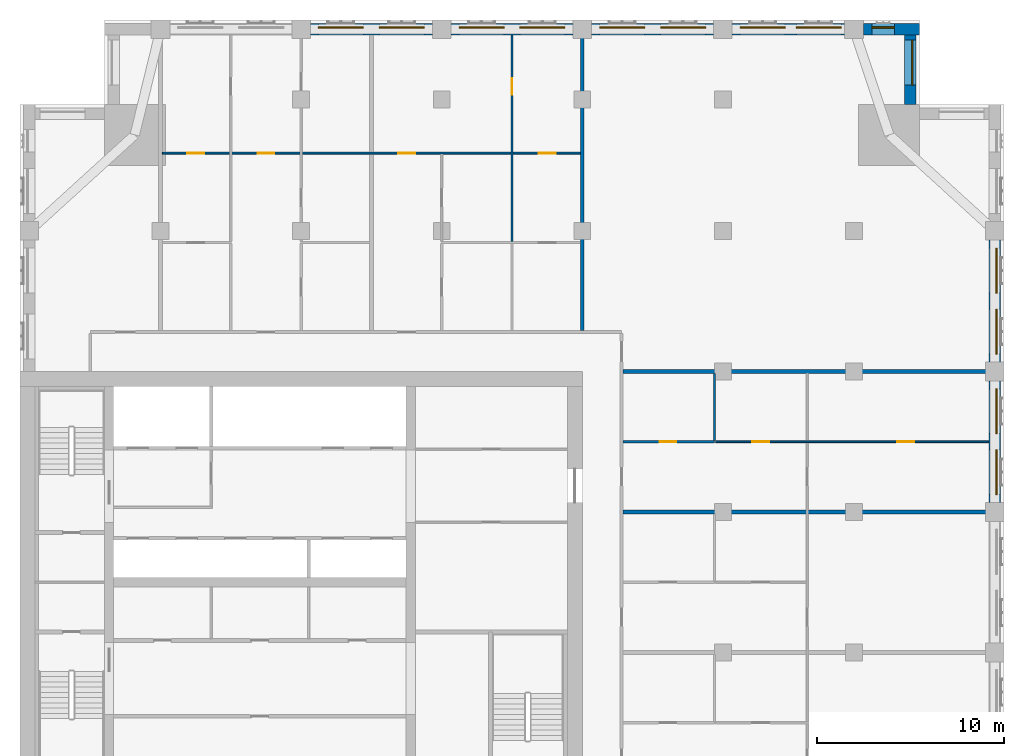
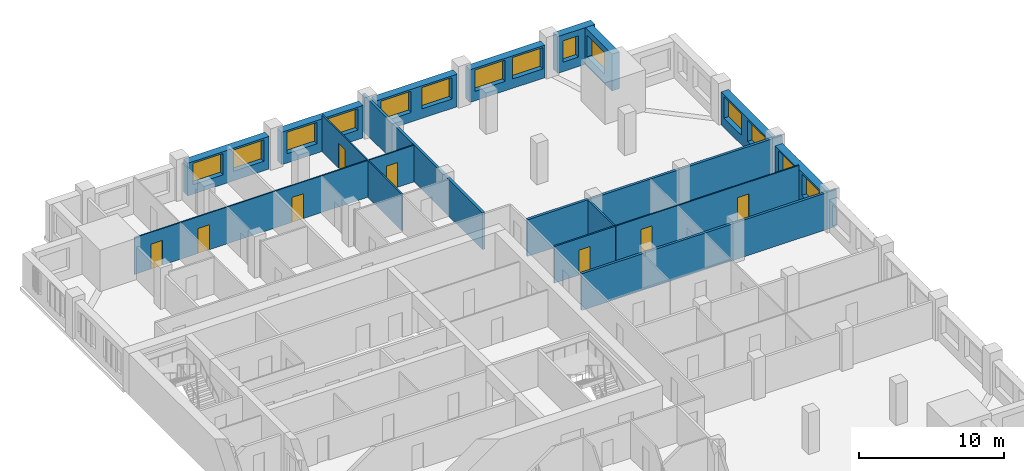
# One storey, part 11 of 14: 16 walls, 14 windows, 8 doors, 22 openings.
"""IFC4 building model written with IfcOpenShell, lengths in metres."""

from ifc_helpers import new_model, si_unit, direction, frame, frame_2d, origin, place, context, subcontext, project, spatial, rectangle, extrude, material, layer, layer_set, type_object, element, fill, save


model = new_model("IFC4")

# Units and contexts
model_context = context("Model", 3, precision=1e-05, world=origin(), true_north=direction((0.0, 1.0)))
body_context = subcontext(model_context, "Body", "Model", "MODEL_VIEW")
ifc_project = project(units=[si_unit("LENGTHUNIT", "METRE"), si_unit("AREAUNIT", "SQUARE_METRE"), si_unit("VOLUMEUNIT", "CUBIC_METRE"), si_unit("PLANEANGLEUNIT", "RADIAN"), si_unit("MASSUNIT", "GRAM", prefix="KILO")], contexts=[model_context])

# Site, building, storey
site_placement = place(None, origin())
site = spatial("IfcSite", under=ifc_project, at=site_placement, CompositionType="ELEMENT")
building_placement = place(site_placement, origin())
building = spatial("IfcBuilding", under=site, at=building_placement, Name="Tamorin Gate", CompositionType="ELEMENT")
storey_placement = place(building_placement, frame((0.0, 0.0, 210.699951171875)))
storey = spatial("IfcBuildingStorey", under=building, at=storey_placement, Name="L52", CompositionType="ELEMENT", Elevation=210.699951171875)

# Wall, openings, windows
ifc_material_1 = material(Name="Precast concrete C40/50", Category="concrete")
ifc_layer_1 = layer(ifc_material_1, 0.60009765625)
ifc_layer_set_1 = layer_set([ifc_layer_1], Name="Precast concrete C40/50")
wall_type_1 = type_object("IfcWallType", Name="Board-marked concrete facade panel 600", PredefinedType="SOLIDWALL", material=ifc_layer_set_1)
wall_1_placement = place(storey_placement, frame((82.0, 75.5, 0.0), z_axis=(0.0, 0.0, 1.0), x_axis=(0.0, 1.0, 0.0)))
wall_1 = element("IfcWall", 1, at=wall_1_placement, inside=storey, type_object=wall_type_1, Name="Facade panel", PredefinedType="SOLIDWALL", context=body_context, shape_type="SweptSolid", body=[
    extrude(rectangle(XDim=6.5, YDim=0.60009765625, at=frame_2d((3.25, 0.0))), origin(), (0.0, 0.0, 1.0), 2.75),
])
opening_1_placement = place(wall_1_placement, frame((0.425048828125, 0.0, 0.800048828125)))
opening_1 = element("IfcOpeningElement", 2, at=opening_1_placement, cuts=wall_1, Name="Opening WN1", PredefinedType="OPENING", context=body_context, shape_type="SweptSolid", body=[
    extrude(rectangle(XDim=2.39990234375, YDim=1.800048828125, at=frame_2d((1.199951171875, 0.89990234375))), frame((0.0, 0.31005859375, 0.0), z_axis=(0.0, -1.0, 0.0), x_axis=(1.0, 0.0, 0.0)), (0.0, 0.0, 1.0), 0.6201171875),
])
opening_2_placement = place(wall_1_placement, frame((3.675048828125, 0.0, 0.800048828125)))
opening_2 = element("IfcOpeningElement", 3, at=opening_2_placement, cuts=wall_1, Name="Opening WN1", PredefinedType="OPENING", context=body_context, shape_type="SweptSolid", body=[
    extrude(rectangle(XDim=2.39990234375, YDim=1.800048828125, at=frame_2d((1.199951171875, 0.89990234375))), frame((0.0, 0.31005859375, 0.0), z_axis=(0.0, -1.0, 0.0), x_axis=(1.0, 0.0, 0.0)), (0.0, 0.0, 1.0), 0.6201171875),
])
ifc_material_2 = material(Name="Clear glass in aluminium frame", Category="aluminium")
window_type_1 = type_object("IfcWindowType", Name="Deep-set window 2400x1800", PartitioningType="SINGLE_PANEL", PredefinedType="WINDOW", material=ifc_material_2)
window_1_placement = place(opening_1_placement, origin())
window_1 = element("IfcWindow", 4, at=window_1_placement, inside=storey, type_object=window_type_1, Name="Deep-set window", OverallHeight=1.800048828125, OverallWidth=2.39990234375, PartitioningType="SINGLE_PANEL", PredefinedType="WINDOW", context=body_context, shape_type="SweptSolid", body=[
    extrude(rectangle(XDim=2.39990234375, YDim=1.800048828125, at=frame_2d((1.199951171875, 0.89990234375))), frame((0.0, -0.070068359375, 0.0), z_axis=(0.0, -1.0, 0.0), x_axis=(1.0, 0.0, 0.0)), (0.0, 0.0, 1.0), 0.06005859375),
])
fill(opening_1, window_1)
window_2_placement = place(opening_2_placement, origin())
window_2 = element("IfcWindow", 5, at=window_2_placement, inside=storey, type_object=window_type_1, Name="Deep-set window", OverallHeight=1.800048828125, OverallWidth=2.39990234375, PartitioningType="SINGLE_PANEL", PredefinedType="WINDOW", context=body_context, shape_type="SweptSolid", body=[
    extrude(rectangle(XDim=2.39990234375, YDim=1.800048828125, at=frame_2d((1.199951171875, 0.89990234375))), frame((0.0, -0.070068359375, 0.0), z_axis=(0.0, -1.0, 0.0), x_axis=(1.0, 0.0, 0.0)), (0.0, 0.0, 1.0), 0.06005859375),
])
fill(opening_2, window_2)

wall_2_placement = place(storey_placement, frame((82.0, 83.0, 0.0), z_axis=(0.0, 0.0, 1.0), x_axis=(0.0, 1.0, 0.0)))
wall_2 = element("IfcWall", 6, at=wall_2_placement, inside=storey, type_object=wall_type_1, Name="Facade panel", PredefinedType="SOLIDWALL", context=body_context, shape_type="SweptSolid", body=[
    extrude(rectangle(XDim=6.5, YDim=0.60009765625, at=frame_2d((3.25, 0.0))), origin(), (0.0, 0.0, 1.0), 2.75),
])
opening_3_placement = place(wall_2_placement, frame((0.425048828125, 0.0, 0.800048828125)))
opening_3 = element("IfcOpeningElement", 7, at=opening_3_placement, cuts=wall_2, Name="Opening WN1", PredefinedType="OPENING", context=body_context, shape_type="SweptSolid", body=[
    extrude(rectangle(XDim=2.39990234375, YDim=1.800048828125, at=frame_2d((1.199951171875, 0.89990234375))), frame((0.0, 0.31005859375, 0.0), z_axis=(0.0, -1.0, 0.0), x_axis=(1.0, 0.0, 0.0)), (0.0, 0.0, 1.0), 0.6201171875),
])
opening_4_placement = place(wall_2_placement, frame((3.675048828125, 0.0, 0.800048828125)))
opening_4 = element("IfcOpeningElement", 8, at=opening_4_placement, cuts=wall_2, Name="Opening WN1", PredefinedType="OPENING", context=body_context, shape_type="SweptSolid", body=[
    extrude(rectangle(XDim=2.39990234375, YDim=1.800048828125, at=frame_2d((1.199951171875, 0.89990234375))), frame((0.0, 0.31005859375, 0.0), z_axis=(0.0, -1.0, 0.0), x_axis=(1.0, 0.0, 0.0)), (0.0, 0.0, 1.0), 0.6201171875),
])
window_3_placement = place(opening_3_placement, origin())
window_3 = element("IfcWindow", 9, at=window_3_placement, inside=storey, type_object=window_type_1, Name="Deep-set window", OverallHeight=1.800048828125, OverallWidth=2.39990234375, PartitioningType="SINGLE_PANEL", PredefinedType="WINDOW", context=body_context, shape_type="SweptSolid", body=[
    extrude(rectangle(XDim=2.39990234375, YDim=1.800048828125, at=frame_2d((1.199951171875, 0.89990234375))), frame((0.0, -0.070068359375, 0.0), z_axis=(0.0, -1.0, 0.0), x_axis=(1.0, 0.0, 0.0)), (0.0, 0.0, 1.0), 0.06005859375),
])
fill(opening_3, window_3)
window_4_placement = place(opening_4_placement, origin())
window_4 = element("IfcWindow", 10, at=window_4_placement, inside=storey, type_object=window_type_1, Name="Deep-set window", OverallHeight=1.800048828125, OverallWidth=2.39990234375, PartitioningType="SINGLE_PANEL", PredefinedType="WINDOW", context=body_context, shape_type="SweptSolid", body=[
    extrude(rectangle(XDim=2.39990234375, YDim=1.800048828125, at=frame_2d((1.199951171875, 0.89990234375))), frame((0.0, -0.070068359375, 0.0), z_axis=(0.0, -1.0, 0.0), x_axis=(1.0, 0.0, 0.0)), (0.0, 0.0, 1.0), 0.06005859375),
])
fill(opening_4, window_4)

# Wall, opening, window
wall_3_placement = place(storey_placement, frame((77.5, 96.75, 0.0), z_axis=(0.0, 0.0, 1.0), x_axis=(0.0, 1.0, 0.0)))
wall_3 = element("IfcWall", 11, at=wall_3_placement, inside=storey, type_object=wall_type_1, Name="Facade panel", PredefinedType="SOLIDWALL", context=body_context, shape_type="SweptSolid", body=[
    extrude(rectangle(XDim=3.699951171875, YDim=0.60009765625, at=frame_2d((1.85009765625, 0.0))), origin(), (0.0, 0.0, 1.0), 3.10009765625),
])
opening_5_placement = place(wall_3_placement, frame((1.02490234375, 0.0, 0.800048828125)))
opening_5 = element("IfcOpeningElement", 12, at=opening_5_placement, cuts=wall_3, Name="Opening WN1", PredefinedType="OPENING", context=body_context, shape_type="SweptSolid", body=[
    extrude(rectangle(XDim=2.39990234375, YDim=1.800048828125, at=frame_2d((1.199951171875, 0.89990234375))), frame((0.0, 0.31005859375, 0.0), z_axis=(0.0, -1.0, 0.0), x_axis=(1.0, 0.0, 0.0)), (0.0, 0.0, 1.0), 0.6201171875),
])
window_5_placement = place(opening_5_placement, origin())
window_5 = element("IfcWindow", 13, at=window_5_placement, inside=storey, type_object=window_type_1, Name="Deep-set window", OverallHeight=1.800048828125, OverallWidth=2.39990234375, PartitioningType="SINGLE_PANEL", PredefinedType="WINDOW", context=body_context, shape_type="SweptSolid", body=[
    extrude(rectangle(XDim=2.39990234375, YDim=1.800048828125, at=frame_2d((1.199951171875, 0.89990234375))), frame((0.0, -0.070068359375, 0.0), z_axis=(0.0, -1.0, 0.0), x_axis=(1.0, 0.0, 0.0)), (0.0, 0.0, 1.0), 0.06005859375),
])
fill(opening_5, window_5)

wall_4_placement = place(storey_placement, frame((78.0, 100.75, 0.0), z_axis=(0.0, 0.0, 1.0), x_axis=(-1.0, 0.0, 0.0)))
wall_4 = element("IfcWall", 14, at=wall_4_placement, inside=storey, type_object=wall_type_1, Name="Facade panel", PredefinedType="SOLIDWALL", context=body_context, shape_type="SweptSolid", body=[
    extrude(rectangle(XDim=3.0, YDim=0.60009765625, at=frame_2d((1.5, 0.0))), origin(), (0.0, 0.0, 1.0), 3.10009765625),
])
opening_6_placement = place(wall_4_placement, frame((1.35009765625, 0.0, 0.800048828125)))
opening_6 = element("IfcOpeningElement", 15, at=opening_6_placement, cuts=wall_4, Name="Opening WN3", PredefinedType="OPENING", context=body_context, shape_type="SweptSolid", body=[
    extrude(rectangle(XDim=1.199951171875, YDim=1.800048828125, at=frame_2d((0.60009765625, 0.89990234375))), frame((0.0, 0.31005859375, 0.0), z_axis=(0.0, -1.0, 0.0), x_axis=(1.0, 0.0, 0.0)), (0.0, 0.0, 1.0), 0.6201171875),
])
window_type_2 = type_object("IfcWindowType", Name="Deep-set window 1200x1800", PartitioningType="SINGLE_PANEL", PredefinedType="WINDOW", material=ifc_material_2)
window_6_placement = place(opening_6_placement, origin())
window_6 = element("IfcWindow", 16, at=window_6_placement, inside=storey, type_object=window_type_2, Name="Deep-set window", OverallHeight=1.800048828125, OverallWidth=1.199951171875, PartitioningType="SINGLE_PANEL", PredefinedType="WINDOW", context=body_context, shape_type="SweptSolid", body=[
    extrude(rectangle(XDim=1.199951171875, YDim=1.800048828125, at=frame_2d((0.60009765625, 0.89990234375))), frame((0.0, -0.070068359375, 0.0), z_axis=(0.0, -1.0, 0.0), x_axis=(1.0, 0.0, 0.0)), (0.0, 0.0, 1.0), 0.06005859375),
])
fill(opening_6, window_6)

# Wall, openings, windows
wall_5_placement = place(storey_placement, frame((74.0, 100.75, 0.0), z_axis=(0.0, 0.0, 1.0), x_axis=(-1.0, 0.0, 0.0)))
wall_5 = element("IfcWall", 17, at=wall_5_placement, inside=storey, type_object=wall_type_1, Name="Facade panel", PredefinedType="SOLIDWALL", context=body_context, shape_type="SweptSolid", body=[
    extrude(rectangle(XDim=6.0, YDim=0.60009765625, at=frame_2d((3.0, 0.0))), origin(), (0.0, 0.0, 1.0), 2.75),
])
opening_7_placement = place(wall_5_placement, frame((3.175048828125, 0.0, 0.800048828125)))
opening_7 = element("IfcOpeningElement", 18, at=opening_7_placement, cuts=wall_5, Name="Opening WN1", PredefinedType="OPENING", context=body_context, shape_type="SweptSolid", body=[
    extrude(rectangle(XDim=2.39990234375, YDim=1.800048828125, at=frame_2d((1.199951171875, 0.89990234375))), frame((0.0, 0.31005859375, 0.0), z_axis=(0.0, -1.0, 0.0), x_axis=(1.0, 0.0, 0.0)), (0.0, 0.0, 1.0), 0.6201171875),
])
opening_8_placement = place(wall_5_placement, frame((0.175048828125, 0.0, 0.800048828125)))
opening_8 = element("IfcOpeningElement", 19, at=opening_8_placement, cuts=wall_5, Name="Opening WN1", PredefinedType="OPENING", context=body_context, shape_type="SweptSolid", body=[
    extrude(rectangle(XDim=2.39990234375, YDim=1.800048828125, at=frame_2d((1.199951171875, 0.89990234375))), frame((0.0, 0.31005859375, 0.0), z_axis=(0.0, -1.0, 0.0), x_axis=(1.0, 0.0, 0.0)), (0.0, 0.0, 1.0), 0.6201171875),
])
window_7_placement = place(opening_7_placement, origin())
window_7 = element("IfcWindow", 20, at=window_7_placement, inside=storey, type_object=window_type_1, Name="Deep-set window", OverallHeight=1.800048828125, OverallWidth=2.39990234375, PartitioningType="SINGLE_PANEL", PredefinedType="WINDOW", context=body_context, shape_type="SweptSolid", body=[
    extrude(rectangle(XDim=2.39990234375, YDim=1.800048828125, at=frame_2d((1.199951171875, 0.89990234375))), frame((0.0, -0.070068359375, 0.0), z_axis=(0.0, -1.0, 0.0), x_axis=(1.0, 0.0, 0.0)), (0.0, 0.0, 1.0), 0.06005859375),
])
fill(opening_7, window_7)
window_8_placement = place(opening_8_placement, origin())
window_8 = element("IfcWindow", 21, at=window_8_placement, inside=storey, type_object=window_type_1, Name="Deep-set window", OverallHeight=1.800048828125, OverallWidth=2.39990234375, PartitioningType="SINGLE_PANEL", PredefinedType="WINDOW", context=body_context, shape_type="SweptSolid", body=[
    extrude(rectangle(XDim=2.39990234375, YDim=1.800048828125, at=frame_2d((1.199951171875, 0.89990234375))), frame((0.0, -0.070068359375, 0.0), z_axis=(0.0, -1.0, 0.0), x_axis=(1.0, 0.0, 0.0)), (0.0, 0.0, 1.0), 0.06005859375),
])
fill(opening_8, window_8)

wall_6_placement = place(storey_placement, frame((67.0, 100.75, 0.0), z_axis=(0.0, 0.0, 1.0), x_axis=(-1.0, 0.0, 0.0)))
wall_6 = element("IfcWall", 22, at=wall_6_placement, inside=storey, type_object=wall_type_1, Name="Facade panel", PredefinedType="SOLIDWALL", context=body_context, shape_type="SweptSolid", body=[
    extrude(rectangle(XDim=6.5, YDim=0.60009765625, at=frame_2d((3.25, 0.0))), origin(), (0.0, 0.0, 1.0), 2.75),
])
opening_9_placement = place(wall_6_placement, frame((3.675048828125, 0.0, 0.800048828125)))
opening_9 = element("IfcOpeningElement", 23, at=opening_9_placement, cuts=wall_6, Name="Opening WN1", PredefinedType="OPENING", context=body_context, shape_type="SweptSolid", body=[
    extrude(rectangle(XDim=2.39990234375, YDim=1.800048828125, at=frame_2d((1.199951171875, 0.89990234375))), frame((0.0, 0.31005859375, 0.0), z_axis=(0.0, -1.0, 0.0), x_axis=(1.0, 0.0, 0.0)), (0.0, 0.0, 1.0), 0.6201171875),
])
opening_10_placement = place(wall_6_placement, frame((0.425048828125, 0.0, 0.800048828125)))
opening_10 = element("IfcOpeningElement", 24, at=opening_10_placement, cuts=wall_6, Name="Opening WN1", PredefinedType="OPENING", context=body_context, shape_type="SweptSolid", body=[
    extrude(rectangle(XDim=2.39990234375, YDim=1.800048828125, at=frame_2d((1.199951171875, 0.89990234375))), frame((0.0, 0.31005859375, 0.0), z_axis=(0.0, -1.0, 0.0), x_axis=(1.0, 0.0, 0.0)), (0.0, 0.0, 1.0), 0.6201171875),
])
window_9_placement = place(opening_9_placement, origin())
window_9 = element("IfcWindow", 25, at=window_9_placement, inside=storey, type_object=window_type_1, Name="Deep-set window", OverallHeight=1.800048828125, OverallWidth=2.39990234375, PartitioningType="SINGLE_PANEL", PredefinedType="WINDOW", context=body_context, shape_type="SweptSolid", body=[
    extrude(rectangle(XDim=2.39990234375, YDim=1.800048828125, at=frame_2d((1.199951171875, 0.89990234375))), frame((0.0, -0.070068359375, 0.0), z_axis=(0.0, -1.0, 0.0), x_axis=(1.0, 0.0, 0.0)), (0.0, 0.0, 1.0), 0.06005859375),
])
fill(opening_9, window_9)
window_10_placement = place(opening_10_placement, origin())
window_10 = element("IfcWindow", 26, at=window_10_placement, inside=storey, type_object=window_type_1, Name="Deep-set window", OverallHeight=1.800048828125, OverallWidth=2.39990234375, PartitioningType="SINGLE_PANEL", PredefinedType="WINDOW", context=body_context, shape_type="SweptSolid", body=[
    extrude(rectangle(XDim=2.39990234375, YDim=1.800048828125, at=frame_2d((1.199951171875, 0.89990234375))), frame((0.0, -0.070068359375, 0.0), z_axis=(0.0, -1.0, 0.0), x_axis=(1.0, 0.0, 0.0)), (0.0, 0.0, 1.0), 0.06005859375),
])
fill(opening_10, window_10)

wall_7_placement = place(storey_placement, frame((59.5, 100.75, 0.0), z_axis=(0.0, 0.0, 1.0), x_axis=(-1.0, 0.0, 0.0)))
wall_7 = element("IfcWall", 27, at=wall_7_placement, inside=storey, type_object=wall_type_1, Name="Facade panel", PredefinedType="SOLIDWALL", context=body_context, shape_type="SweptSolid", body=[
    extrude(rectangle(XDim=6.5, YDim=0.60009765625, at=frame_2d((3.25, 0.0))), origin(), (0.0, 0.0, 1.0), 2.75),
])
opening_11_placement = place(wall_7_placement, frame((3.675048828125, 0.0, 0.800048828125)))
opening_11 = element("IfcOpeningElement", 28, at=opening_11_placement, cuts=wall_7, Name="Opening WN1", PredefinedType="OPENING", context=body_context, shape_type="SweptSolid", body=[
    extrude(rectangle(XDim=2.39990234375, YDim=1.800048828125, at=frame_2d((1.199951171875, 0.89990234375))), frame((0.0, 0.31005859375, 0.0), z_axis=(0.0, -1.0, 0.0), x_axis=(1.0, 0.0, 0.0)), (0.0, 0.0, 1.0), 0.6201171875),
])
opening_12_placement = place(wall_7_placement, frame((0.425048828125, 0.0, 0.800048828125)))
opening_12 = element("IfcOpeningElement", 29, at=opening_12_placement, cuts=wall_7, Name="Opening WN1", PredefinedType="OPENING", context=body_context, shape_type="SweptSolid", body=[
    extrude(rectangle(XDim=2.39990234375, YDim=1.800048828125, at=frame_2d((1.199951171875, 0.89990234375))), frame((0.0, 0.31005859375, 0.0), z_axis=(0.0, -1.0, 0.0), x_axis=(1.0, 0.0, 0.0)), (0.0, 0.0, 1.0), 0.6201171875),
])
window_11_placement = place(opening_11_placement, origin())
window_11 = element("IfcWindow", 30, at=window_11_placement, inside=storey, type_object=window_type_1, Name="Deep-set window", OverallHeight=1.800048828125, OverallWidth=2.39990234375, PartitioningType="SINGLE_PANEL", PredefinedType="WINDOW", context=body_context, shape_type="SweptSolid", body=[
    extrude(rectangle(XDim=2.39990234375, YDim=1.800048828125, at=frame_2d((1.199951171875, 0.89990234375))), frame((0.0, -0.070068359375, 0.0), z_axis=(0.0, -1.0, 0.0), x_axis=(1.0, 0.0, 0.0)), (0.0, 0.0, 1.0), 0.06005859375),
])
fill(opening_11, window_11)
window_12_placement = place(opening_12_placement, origin())
window_12 = element("IfcWindow", 31, at=window_12_placement, inside=storey, type_object=window_type_1, Name="Deep-set window", OverallHeight=1.800048828125, OverallWidth=2.39990234375, PartitioningType="SINGLE_PANEL", PredefinedType="WINDOW", context=body_context, shape_type="SweptSolid", body=[
    extrude(rectangle(XDim=2.39990234375, YDim=1.800048828125, at=frame_2d((1.199951171875, 0.89990234375))), frame((0.0, -0.070068359375, 0.0), z_axis=(0.0, -1.0, 0.0), x_axis=(1.0, 0.0, 0.0)), (0.0, 0.0, 1.0), 0.06005859375),
])
fill(opening_12, window_12)

wall_8_placement = place(storey_placement, frame((52.0, 100.75, 0.0), z_axis=(0.0, 0.0, 1.0), x_axis=(-1.0, 0.0, 0.0)))
wall_8 = element("IfcWall", 32, at=wall_8_placement, inside=storey, type_object=wall_type_1, Name="Facade panel", PredefinedType="SOLIDWALL", context=body_context, shape_type="SweptSolid", body=[
    extrude(rectangle(XDim=6.5, YDim=0.60009765625, at=frame_2d((3.25, 0.0))), origin(), (0.0, 0.0, 1.0), 2.75),
])
opening_13_placement = place(wall_8_placement, frame((3.675048828125, 0.0, 0.800048828125)))
opening_13 = element("IfcOpeningElement", 33, at=opening_13_placement, cuts=wall_8, Name="Opening WN1", PredefinedType="OPENING", context=body_context, shape_type="SweptSolid", body=[
    extrude(rectangle(XDim=2.39990234375, YDim=1.800048828125, at=frame_2d((1.199951171875, 0.89990234375))), frame((0.0, 0.31005859375, 0.0), z_axis=(0.0, -1.0, 0.0), x_axis=(1.0, 0.0, 0.0)), (0.0, 0.0, 1.0), 0.6201171875),
])
opening_14_placement = place(wall_8_placement, frame((0.425048828125, 0.0, 0.800048828125)))
opening_14 = element("IfcOpeningElement", 34, at=opening_14_placement, cuts=wall_8, Name="Opening WN1", PredefinedType="OPENING", context=body_context, shape_type="SweptSolid", body=[
    extrude(rectangle(XDim=2.39990234375, YDim=1.800048828125, at=frame_2d((1.199951171875, 0.89990234375))), frame((0.0, 0.31005859375, 0.0), z_axis=(0.0, -1.0, 0.0), x_axis=(1.0, 0.0, 0.0)), (0.0, 0.0, 1.0), 0.6201171875),
])
window_13_placement = place(opening_13_placement, origin())
window_13 = element("IfcWindow", 35, at=window_13_placement, inside=storey, type_object=window_type_1, Name="Deep-set window", OverallHeight=1.800048828125, OverallWidth=2.39990234375, PartitioningType="SINGLE_PANEL", PredefinedType="WINDOW", context=body_context, shape_type="SweptSolid", body=[
    extrude(rectangle(XDim=2.39990234375, YDim=1.800048828125, at=frame_2d((1.199951171875, 0.89990234375))), frame((0.0, -0.070068359375, 0.0), z_axis=(0.0, -1.0, 0.0), x_axis=(1.0, 0.0, 0.0)), (0.0, 0.0, 1.0), 0.06005859375),
])
fill(opening_13, window_13)
window_14_placement = place(opening_14_placement, origin())
window_14 = element("IfcWindow", 36, at=window_14_placement, inside=storey, type_object=window_type_1, Name="Deep-set window", OverallHeight=1.800048828125, OverallWidth=2.39990234375, PartitioningType="SINGLE_PANEL", PredefinedType="WINDOW", context=body_context, shape_type="SweptSolid", body=[
    extrude(rectangle(XDim=2.39990234375, YDim=1.800048828125, at=frame_2d((1.199951171875, 0.89990234375))), frame((0.0, -0.070068359375, 0.0), z_axis=(0.0, -1.0, 0.0), x_axis=(1.0, 0.0, 0.0)), (0.0, 0.0, 1.0), 0.06005859375),
])
fill(opening_14, window_14)

# Walls
ifc_material_3 = material(Name="Gypsum board partition")
ifc_layer_2 = layer(ifc_material_3, 0.199951171875)
ifc_layer_set_2 = layer_set([ifc_layer_2], Name="Demising wall 200")
wall_type_2 = type_object("IfcWallType", Name="Demising wall 200", PredefinedType="PARTITIONING", material=ifc_layer_set_2)
for number, where, z_axis, x_axis, name in (
    (37, (62.175048828125, 75.0, 0.0), (0.0, 0.0, 1.0), (1.0, 0.0, 0.0), "Demising wall 200"),
    (38, (62.175048828125, 82.5, 0.0), (0.0, 0.0, 1.0), (1.0, 0.0, 0.0), "Demising wall 200"),
):
    element("IfcWall", number, at=place(storey_placement, frame(where, z_axis=z_axis, x_axis=x_axis)), inside=storey, type_object=wall_type_2, Name=name, PredefinedType="PARTITIONING", context=body_context, shape_type="SweptSolid", body=[
        extrude(rectangle(XDim=20.324951171875, YDim=0.199951171875, at=frame_2d((10.16259765625, 0.0))), origin(), (0.0, 0.0, 1.0), 3.10009765625),
    ])
wall_9_placement = place(storey_placement, frame((60.0, 84.675048828125, 0.0), z_axis=(0.0, 0.0, 1.0), x_axis=(0.0, 1.0, 0.0)))
element("IfcWall", 39, at=wall_9_placement, inside=storey, type_object=wall_type_2, Name="Demising wall 200", PredefinedType="PARTITIONING", context=body_context, shape_type="SweptSolid", body=[
    extrude(rectangle(XDim=16.574951171875, YDim=0.199951171875, at=frame_2d((8.28759765625, 0.0))), origin(), (0.0, 0.0, 1.0), 3.10009765625),
])

# Wall, openings, doors
ifc_layer_3 = layer(ifc_material_3, 0.10009765625)
ifc_layer_set_3 = layer_set([ifc_layer_3], Name="Room partition 100")
wall_type_3 = type_object("IfcWallType", Name="Room partition 100", PredefinedType="PARTITIONING", material=ifc_layer_set_3)
wall_10_placement = place(storey_placement, frame((67.112548828125, 78.75, 0.0), z_axis=(0.0, 0.0, 1.0), x_axis=(1.0, 0.0, 0.0)))
wall_10 = element("IfcWall", 40, at=wall_10_placement, inside=storey, type_object=wall_type_3, Name="Room partition 100", PredefinedType="PARTITIONING", context=body_context, shape_type="SweptSolid", body=[
    extrude(rectangle(XDim=14.577392578125, YDim=0.10009765625, at=frame_2d((7.28857421875, 0.0))), origin(), (0.0, 0.0, 1.0), 3.10009765625),
])
opening_15_placement = place(wall_10_placement, frame((1.96240234375, 0.0, 0.0)))
opening_15 = element("IfcOpeningElement", 41, at=opening_15_placement, cuts=wall_10, Name="Opening DR2047", PredefinedType="OPENING", context=body_context, shape_type="SweptSolid", body=[
    extrude(rectangle(XDim=0.89990234375, YDim=2.10009765625, at=frame_2d((0.449951171875, 1.050048828125))), frame((0.0, 0.06005859375, 0.0), z_axis=(0.0, -1.0, 0.0), x_axis=(1.0, 0.0, 0.0)), (0.0, 0.0, 1.0), 0.1201171875),
])
opening_16_placement = place(wall_10_placement, frame((9.6875, 0.0, 0.0)))
opening_16 = element("IfcOpeningElement", 42, at=opening_16_placement, cuts=wall_10, Name="Opening DR2049", PredefinedType="OPENING", context=body_context, shape_type="SweptSolid", body=[
    extrude(rectangle(XDim=0.89990234375, YDim=2.10009765625, at=frame_2d((0.449951171875, 1.050048828125))), frame((0.0, 0.06005859375, 0.0), z_axis=(0.0, -1.0, 0.0), x_axis=(1.0, 0.0, 0.0)), (0.0, 0.0, 1.0), 0.1201171875),
])
ifc_material_4 = material(Name="Timber door leaf", Category="wood")
door_type = type_object("IfcDoorType", Name="Door 900 x 2100", OperationType="NOTDEFINED", PredefinedType="DOOR", material=ifc_material_4)
door_1_placement = place(opening_15_placement, origin())
door_1 = element("IfcDoor", 43, at=door_1_placement, inside=storey, type_object=door_type, Name="Door DR2047", OperationType="SINGLE_SWING_LEFT", OverallHeight=2.10009765625, OverallWidth=0.89990234375, PredefinedType="DOOR", context=body_context, shape_type="SweptSolid", body=[
    extrude(rectangle(XDim=0.89990234375, YDim=2.10009765625, at=frame_2d((0.449951171875, 1.050048828125))), frame((0.0, 0.02490234375, 0.0), z_axis=(0.0, -1.0, 0.0), x_axis=(1.0, 0.0, 0.0)), (0.0, 0.0, 1.0), 0.050048828125),
])
fill(opening_15, door_1)
door_2_placement = place(opening_16_placement, origin())
door_2 = element("IfcDoor", 44, at=door_2_placement, inside=storey, type_object=door_type, Name="Door DR2049", OperationType="SINGLE_SWING_RIGHT", OverallHeight=2.10009765625, OverallWidth=0.89990234375, PredefinedType="DOOR", context=body_context, shape_type="SweptSolid", body=[
    extrude(rectangle(XDim=0.89990234375, YDim=2.10009765625, at=frame_2d((0.449951171875, 1.050048828125))), frame((0.0, 0.02490234375, 0.0), z_axis=(0.0, -1.0, 0.0), x_axis=(1.0, 0.0, 0.0)), (0.0, 0.0, 1.0), 0.050048828125),
])
fill(opening_16, door_2)

wall_11_placement = place(storey_placement, frame((37.60009765625, 94.14990234375, 0.0), z_axis=(0.0, 0.0, 1.0), x_axis=(1.0, 0.0, 0.0)))
wall_11 = element("IfcWall", 45, at=wall_11_placement, inside=storey, type_object=wall_type_3, Name="Room partition 100", PredefinedType="PARTITIONING", context=body_context, shape_type="SweptSolid", body=[
    extrude(rectangle(XDim=22.2998046875, YDim=0.10009765625, at=frame_2d((11.14990234375, 0.0))), origin(), (0.0, 0.0, 1.0), 3.10009765625),
])
opening_17_placement = place(wall_11_placement, frame((1.324951171875, 0.0, 0.0)))
opening_17 = element("IfcOpeningElement", 46, at=opening_17_placement, cuts=wall_11, Name="Opening DR2020", PredefinedType="OPENING", context=body_context, shape_type="SweptSolid", body=[
    extrude(rectangle(XDim=0.89990234375, YDim=2.10009765625, at=frame_2d((0.449951171875, 1.050048828125))), frame((0.0, 0.06005859375, 0.0), z_axis=(0.0, -1.0, 0.0), x_axis=(1.0, 0.0, 0.0)), (0.0, 0.0, 1.0), 0.1201171875),
])
opening_18_placement = place(wall_11_placement, frame((5.074951171875, 0.0, 0.0)))
opening_18 = element("IfcOpeningElement", 47, at=opening_18_placement, cuts=wall_11, Name="Opening DR2023", PredefinedType="OPENING", context=body_context, shape_type="SweptSolid", body=[
    extrude(rectangle(XDim=0.89990234375, YDim=2.10009765625, at=frame_2d((0.449951171875, 1.050048828125))), frame((0.0, 0.06005859375, 0.0), z_axis=(0.0, -1.0, 0.0), x_axis=(1.0, 0.0, 0.0)), (0.0, 0.0, 1.0), 0.1201171875),
])
opening_19_placement = place(wall_11_placement, frame((12.574951171875, 0.0, 0.0)))
opening_19 = element("IfcOpeningElement", 48, at=opening_19_placement, cuts=wall_11, Name="Opening DR2029", PredefinedType="OPENING", context=body_context, shape_type="SweptSolid", body=[
    extrude(rectangle(XDim=0.89990234375, YDim=2.10009765625, at=frame_2d((0.449951171875, 1.050048828125))), frame((0.0, 0.06005859375, 0.0), z_axis=(0.0, -1.0, 0.0), x_axis=(1.0, 0.0, 0.0)), (0.0, 0.0, 1.0), 0.1201171875),
])
opening_20_placement = place(wall_11_placement, frame((20.074951171875, 0.0, 0.0)))
opening_20 = element("IfcOpeningElement", 49, at=opening_20_placement, cuts=wall_11, Name="Opening DR2032", PredefinedType="OPENING", context=body_context, shape_type="SweptSolid", body=[
    extrude(rectangle(XDim=0.89990234375, YDim=2.10009765625, at=frame_2d((0.449951171875, 1.050048828125))), frame((0.0, 0.06005859375, 0.0), z_axis=(0.0, -1.0, 0.0), x_axis=(1.0, 0.0, 0.0)), (0.0, 0.0, 1.0), 0.1201171875),
])
door_3_placement = place(opening_17_placement, origin())
door_3 = element("IfcDoor", 50, at=door_3_placement, inside=storey, type_object=door_type, Name="Door DR2020", OperationType="SINGLE_SWING_RIGHT", OverallHeight=2.10009765625, OverallWidth=0.89990234375, PredefinedType="DOOR", context=body_context, shape_type="SweptSolid", body=[
    extrude(rectangle(XDim=0.89990234375, YDim=2.10009765625, at=frame_2d((0.449951171875, 1.050048828125))), frame((0.0, 0.02490234375, 0.0), z_axis=(0.0, -1.0, 0.0), x_axis=(1.0, 0.0, 0.0)), (0.0, 0.0, 1.0), 0.050048828125),
])
fill(opening_17, door_3)
door_4_placement = place(opening_18_placement, origin())
door_4 = element("IfcDoor", 51, at=door_4_placement, inside=storey, type_object=door_type, Name="Door DR2023", OperationType="SINGLE_SWING_RIGHT", OverallHeight=2.10009765625, OverallWidth=0.89990234375, PredefinedType="DOOR", context=body_context, shape_type="SweptSolid", body=[
    extrude(rectangle(XDim=0.89990234375, YDim=2.10009765625, at=frame_2d((0.449951171875, 1.050048828125))), frame((0.0, 0.02490234375, 0.0), z_axis=(0.0, -1.0, 0.0), x_axis=(1.0, 0.0, 0.0)), (0.0, 0.0, 1.0), 0.050048828125),
])
fill(opening_18, door_4)
door_5_placement = place(opening_19_placement, origin())
door_5 = element("IfcDoor", 52, at=door_5_placement, inside=storey, type_object=door_type, Name="Door DR2029", OperationType="SINGLE_SWING_RIGHT", OverallHeight=2.10009765625, OverallWidth=0.89990234375, PredefinedType="DOOR", context=body_context, shape_type="SweptSolid", body=[
    extrude(rectangle(XDim=0.89990234375, YDim=2.10009765625, at=frame_2d((0.449951171875, 1.050048828125))), frame((0.0, 0.02490234375, 0.0), z_axis=(0.0, -1.0, 0.0), x_axis=(1.0, 0.0, 0.0)), (0.0, 0.0, 1.0), 0.050048828125),
])
fill(opening_19, door_5)
door_6_placement = place(opening_20_placement, origin())
door_6 = element("IfcDoor", 53, at=door_6_placement, inside=storey, type_object=door_type, Name="Door DR2032", OperationType="SINGLE_SWING_RIGHT", OverallHeight=2.10009765625, OverallWidth=0.89990234375, PredefinedType="DOOR", context=body_context, shape_type="SweptSolid", body=[
    extrude(rectangle(XDim=0.89990234375, YDim=2.10009765625, at=frame_2d((0.449951171875, 1.050048828125))), frame((0.0, 0.02490234375, 0.0), z_axis=(0.0, -1.0, 0.0), x_axis=(1.0, 0.0, 0.0)), (0.0, 0.0, 1.0), 0.050048828125),
])
fill(opening_20, door_6)

# Wall, opening, door
wall_12_placement = place(storey_placement, frame((56.25, 89.4375, 0.0), z_axis=(0.0, 0.0, 1.0), x_axis=(0.0, 1.0, 0.0)))
wall_12 = element("IfcWall", 54, at=wall_12_placement, inside=storey, type_object=wall_type_3, Name="Room partition 100", PredefinedType="PARTITIONING", context=body_context, shape_type="SweptSolid", body=[
    extrude(rectangle(XDim=11.00244140625, YDim=0.10009765625, at=frame_2d((5.501220703125, 0.0))), origin(), (0.0, 0.0, 1.0), 3.10009765625),
])
opening_21_placement = place(wall_12_placement, frame((7.8125, 0.0, 0.0)))
opening_21 = element("IfcOpeningElement", 55, at=opening_21_placement, cuts=wall_12, Name="Opening DR2034", PredefinedType="OPENING", context=body_context, shape_type="SweptSolid", body=[
    extrude(rectangle(XDim=0.89990234375, YDim=2.10009765625, at=frame_2d((0.449951171875, 1.050048828125))), frame((0.0, 0.06005859375, 0.0), z_axis=(0.0, -1.0, 0.0), x_axis=(1.0, 0.0, 0.0)), (0.0, 0.0, 1.0), 0.1201171875),
])
door_7_placement = place(opening_21_placement, origin())
door_7 = element("IfcDoor", 56, at=door_7_placement, inside=storey, type_object=door_type, Name="Door DR2034", OperationType="SINGLE_SWING_RIGHT", OverallHeight=2.10009765625, OverallWidth=0.89990234375, PredefinedType="DOOR", context=body_context, shape_type="SweptSolid", body=[
    extrude(rectangle(XDim=0.89990234375, YDim=2.10009765625, at=frame_2d((0.449951171875, 1.050048828125))), frame((0.0, 0.02490234375, 0.0), z_axis=(0.0, -1.0, 0.0), x_axis=(1.0, 0.0, 0.0)), (0.0, 0.0, 1.0), 0.050048828125),
])
fill(opening_21, door_7)

ifc_layer_4 = layer(ifc_material_3, 0.125)
ifc_layer_set_4 = layer_set([ifc_layer_4], Name="Wet wall 125")
wall_type_4 = type_object("IfcWallType", Name="Wet wall 125", PredefinedType="PARTITIONING", material=ifc_layer_set_4)
wall_13_placement = place(storey_placement, frame((62.175048828125, 78.75, 0.0), z_axis=(0.0, 0.0, 1.0), x_axis=(1.0, 0.0, 0.0)))
wall_13 = element("IfcWall", 57, at=wall_13_placement, inside=storey, type_object=wall_type_4, Name="Wet wall 125", PredefinedType="PARTITIONING", context=body_context, shape_type="SweptSolid", body=[
    extrude(rectangle(XDim=4.875, YDim=0.125, at=frame_2d((2.4375, 0.0))), origin(), (0.0, 0.0, 1.0), 3.10009765625),
])
opening_22_placement = place(wall_13_placement, frame((1.949951171875, 0.0, 0.0)))
opening_22 = element("IfcOpeningElement", 58, at=opening_22_placement, cuts=wall_13, Name="Opening DR2048", PredefinedType="OPENING", context=body_context, shape_type="SweptSolid", body=[
    extrude(rectangle(XDim=0.89990234375, YDim=2.10009765625, at=frame_2d((0.449951171875, 1.050048828125))), frame((0.0, 0.072509765625, 0.0), z_axis=(0.0, -1.0, 0.0), x_axis=(1.0, 0.0, 0.0)), (0.0, 0.0, 1.0), 0.14501953125),
])
door_8_placement = place(opening_22_placement, origin())
door_8 = element("IfcDoor", 59, at=door_8_placement, inside=storey, type_object=door_type, Name="Door DR2048", OperationType="SINGLE_SWING_RIGHT", OverallHeight=2.10009765625, OverallWidth=0.89990234375, PredefinedType="DOOR", context=body_context, shape_type="SweptSolid", body=[
    extrude(rectangle(XDim=0.89990234375, YDim=2.10009765625, at=frame_2d((0.449951171875, 1.050048828125))), frame((0.0, 0.02490234375, 0.0), z_axis=(0.0, -1.0, 0.0), x_axis=(1.0, 0.0, 0.0)), (0.0, 0.0, 1.0), 0.050048828125),
])
fill(opening_22, door_8)

# Wall
wall_14_placement = place(storey_placement, frame((67.050048828125, 78.8125, 0.0), z_axis=(0.0, 0.0, 1.0), x_axis=(0.0, 1.0, 0.0)))
element("IfcWall", 60, at=wall_14_placement, inside=storey, type_object=wall_type_4, Name="Wet wall 125", PredefinedType="PARTITIONING", context=body_context, shape_type="SweptSolid", body=[
    extrude(rectangle(XDim=3.58740234375, YDim=0.125, at=frame_2d((1.793701171875, 0.0))), origin(), (0.0, 0.0, 1.0), 3.10009765625),
])

save(model, "model.ifc")
